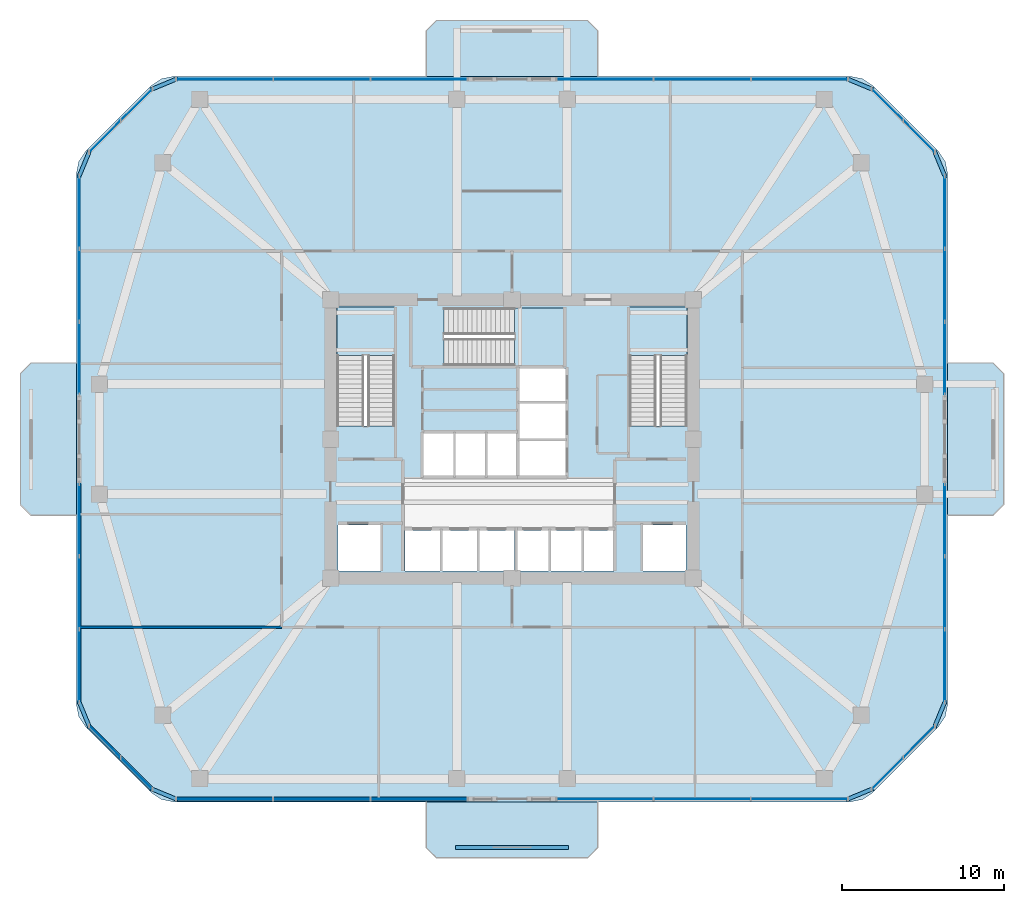
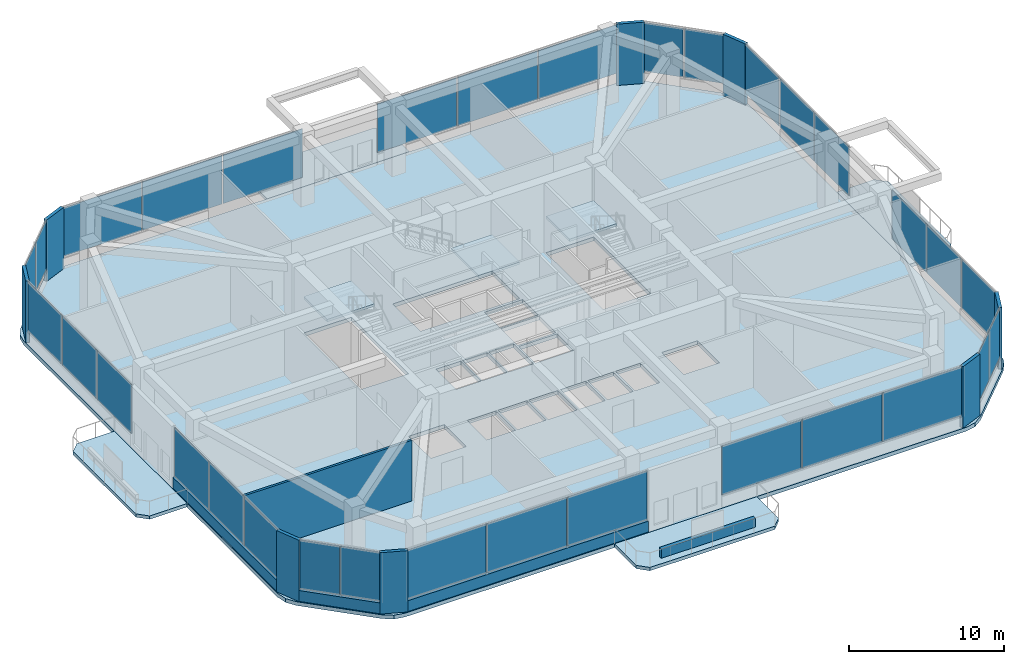
# One storey, part 6 of 13: 40 plates, 8 slabs, 5 walls, 15 elements without a shape of their own.
"""IFC4 building model written with IfcOpenShell, lengths in metres."""

from ifc_helpers import new_model, si_unit, derived_unit, direction, frame, frame_2d, origin, origin_2d, place, context, subcontext, project, spatial, polyline, rectangle, outline, extrude, material, layer, layer_set, type_object, element, aggregate, save


model = new_model("IFC4")

# Units and contexts
model_context = context("Model", 3, precision=1e-05, world=origin(), true_north=direction((0.0, 1.0)))
body_context = subcontext(model_context, "Body", "Model", "MODEL_VIEW")
ifc_project = project(units=[si_unit("LENGTHUNIT", "METRE"), si_unit("AREAUNIT", "SQUARE_METRE"), si_unit("VOLUMEUNIT", "CUBIC_METRE"), si_unit("PLANEANGLEUNIT", "RADIAN"), si_unit("MASSUNIT", "GRAM", prefix="KILO"), derived_unit("THERMALTRANSMITTANCEUNIT", [(si_unit("POWERUNIT", "WATT"), 1), (si_unit("LENGTHUNIT", "METRE"), -2), (si_unit("THERMODYNAMICTEMPERATUREUNIT", "KELVIN"), -1)])], contexts=[model_context])

# Site, building, storey
site_placement = place(None, origin())
site = spatial("IfcSite", under=ifc_project, at=site_placement, CompositionType="ELEMENT")
building_placement = place(site_placement, origin())
building = spatial("IfcBuilding", under=site, at=building_placement, Name="Koralith Skygarden Medical Center", CompositionType="ELEMENT")
storey_placement = place(building_placement, frame((0.0, 0.0, 75.419921875)))
storey = spatial("IfcBuildingStorey", under=building, at=storey_placement, Name="L19", CompositionType="ELEMENT", Elevation=75.419921875)

# Curtain wall, plates
ifc_material_1 = material(Name="Clear Laminated Glass", Category="glass")
curtain_wall_type = type_object("IfcCurtainWallType", Name="CW-7 Sky-Garden & Pool Conservatory Wall", PredefinedType="NOTDEFINED", material=ifc_material_1)
curtain_wall_1_placement = place(storey_placement, origin())
curtain_wall_1 = element("IfcCurtainWall", 1, at=curtain_wall_1_placement, inside=storey, type_object=curtain_wall_type, Name="Curtain Wall CW-L19-S-L", PredefinedType="NOTDEFINED")
ifc_layer_1 = layer(ifc_material_1, 0.0419921875)
ifc_layer_set_1 = layer_set([ifc_layer_1], Name="Clear Laminated Glass")
plate_type_1 = type_object("IfcPlateType", Name="CW-7 Hurricane Laminated IGU Panel 42", PredefinedType="CURTAIN_PANEL", material=ifc_layer_set_1)
plate_1_placement = place(storey_placement, frame((19.256103515625, 3.679931640625, 0.919921875), z_axis=(0.0, 0.0, 1.0), x_axis=(1.0, 0.0, 0.0)))
plate_1 = element("IfcPlate", 2, at=plate_1_placement, type_object=plate_type_1, Name="CW-L19-S-L Glazed Panel 1", PredefinedType="CURTAIN_PANEL", context=body_context, shape_type="SweptSolid", body=[
    extrude(rectangle(XDim=5.910888671875, YDim=0.0419921875, at=origin_2d()), origin(), (0.0, 0.0, 1.0), 3.840087890625),
])
plate_2_placement = place(storey_placement, frame((25.257080078125, 3.679931640625, 0.919921875), z_axis=(0.0, 0.0, 1.0), x_axis=(1.0, 0.0, 0.0)))
plate_2 = element("IfcPlate", 3, at=plate_2_placement, type_object=plate_type_1, Name="CW-L19-S-L Glazed Panel 2", PredefinedType="CURTAIN_PANEL", context=body_context, shape_type="SweptSolid", body=[
    extrude(rectangle(XDim=5.910888671875, YDim=0.0419921875, at=origin_2d()), origin(), (0.0, 0.0, 1.0), 3.840087890625),
])
plate_3_placement = place(storey_placement, frame((31.258056640625, 3.679931640625, 0.919921875), z_axis=(0.0, 0.0, 1.0), x_axis=(1.0, 0.0, 0.0)))
plate_3 = element("IfcPlate", 4, at=plate_3_placement, type_object=plate_type_1, Name="CW-L19-S-L Glazed Panel 3", PredefinedType="CURTAIN_PANEL", context=body_context, shape_type="SweptSolid", body=[
    extrude(rectangle(XDim=5.910888671875, YDim=0.0419921875, at=origin_2d()), origin(), (0.0, 0.0, 1.0), 3.840087890625),
])
aggregate(curtain_wall_1, [plate_1, plate_2, plate_3])

curtain_wall_2_placement = place(storey_placement, origin())
curtain_wall_2 = element("IfcCurtainWall", 5, at=curtain_wall_2_placement, inside=storey, type_object=curtain_wall_type, Name="Curtain Wall CW-L19-S-R", PredefinedType="NOTDEFINED")
plate_4_placement = place(storey_placement, frame((42.739990234375, 3.679931640625, 0.919921875), z_axis=(0.0, 0.0, 1.0), x_axis=(1.0, 0.0, 0.0)))
plate_4 = element("IfcPlate", 6, at=plate_4_placement, type_object=plate_type_1, Name="CW-L19-S-R Glazed Panel 1", PredefinedType="CURTAIN_PANEL", context=body_context, shape_type="SweptSolid", body=[
    extrude(rectangle(XDim=5.912109375, YDim=0.0419921875, at=origin_2d()), origin(), (0.0, 0.0, 1.0), 3.840087890625),
])
plate_5_placement = place(storey_placement, frame((48.741943359375, 3.679931640625, 0.919921875), z_axis=(0.0, 0.0, 1.0), x_axis=(1.0, 0.0, 0.0)))
plate_5 = element("IfcPlate", 7, at=plate_5_placement, type_object=plate_type_1, Name="CW-L19-S-R Glazed Panel 2", PredefinedType="CURTAIN_PANEL", context=body_context, shape_type="SweptSolid", body=[
    extrude(rectangle(XDim=5.912109375, YDim=0.0419921875, at=origin_2d()), origin(), (0.0, 0.0, 1.0), 3.840087890625),
])
plate_6_placement = place(storey_placement, frame((54.743896484375, 3.679931640625, 0.919921875), z_axis=(0.0, 0.0, 1.0), x_axis=(1.0, 0.0, 0.0)))
plate_6 = element("IfcPlate", 8, at=plate_6_placement, type_object=plate_type_1, Name="CW-L19-S-R Glazed Panel 3", PredefinedType="CURTAIN_PANEL", context=body_context, shape_type="SweptSolid", body=[
    extrude(rectangle(XDim=5.912109375, YDim=0.0419921875, at=origin_2d()), origin(), (0.0, 0.0, 1.0), 3.840087890625),
])
aggregate(curtain_wall_2, [plate_4, plate_5, plate_6])

curtain_wall_3_placement = place(storey_placement, origin())
curtain_wall_3 = element("IfcCurtainWall", 9, at=curtain_wall_3_placement, inside=storey, type_object=curtain_wall_type, Name="Curtain Wall CW-L19-SE", PredefinedType="NOTDEFINED")
plate_7_placement = place(storey_placement, frame((60.177001953125, 5.261962890625, 0.919921875), z_axis=(0.0, 0.0, 1.0), x_axis=(0.707106781187, 0.707106781187, 0.0)))
plate_7 = element("IfcPlate", 10, at=plate_7_placement, type_object=plate_type_1, Name="CW-L19-SE Glazed Panel 1", PredefinedType="CURTAIN_PANEL", context=body_context, shape_type="SweptSolid", body=[
    extrude(rectangle(XDim=2.68408203125, YDim=0.0419921875, at=origin_2d()), origin(), (0.0, 0.0, 1.0), 3.840087890625),
])
plate_8_placement = place(storey_placement, frame((62.137939453125, 7.222900390625, 0.919921875), z_axis=(0.0, 0.0, 1.0), x_axis=(0.707106781187, 0.707106781187, 0.0)))
plate_8 = element("IfcPlate", 11, at=plate_8_placement, type_object=plate_type_1, Name="CW-L19-SE Glazed Panel 2", PredefinedType="CURTAIN_PANEL", context=body_context, shape_type="SweptSolid", body=[
    extrude(rectangle(XDim=2.68408203125, YDim=0.0419921875, at=origin_2d()), origin(), (0.0, 0.0, 1.0), 3.840087890625),
])
aggregate(curtain_wall_3, [plate_7, plate_8])

curtain_wall_4_placement = place(storey_placement, origin())
curtain_wall_4 = element("IfcCurtainWall", 12, at=curtain_wall_4_placement, inside=storey, type_object=curtain_wall_type, Name="Curtain Wall CW-L19-E-L", PredefinedType="NOTDEFINED")
plate_9_placement = place(storey_placement, frame((63.719970703125, 11.906005859375, 0.919921875), z_axis=(0.0, 0.0, 1.0), x_axis=(0.0, 1.0, 0.0)))
plate_9 = element("IfcPlate", 13, at=plate_9_placement, type_object=plate_type_1, Name="CW-L19-E-L Glazed Panel 1", PredefinedType="CURTAIN_PANEL", context=body_context, shape_type="SweptSolid", body=[
    extrude(rectangle(XDim=4.410888671875, YDim=0.0419921875, at=origin_2d()), origin(), (0.0, 0.0, 1.0), 3.840087890625),
])
plate_10_placement = place(storey_placement, frame((63.719970703125, 16.406982421875, 0.919921875), z_axis=(0.0, 0.0, 1.0), x_axis=(0.0, 1.0, 0.0)))
plate_10 = element("IfcPlate", 14, at=plate_10_placement, type_object=plate_type_1, Name="CW-L19-E-L Glazed Panel 2", PredefinedType="CURTAIN_PANEL", context=body_context, shape_type="SweptSolid", body=[
    extrude(rectangle(XDim=4.410888671875, YDim=0.0419921875, at=origin_2d()), origin(), (0.0, 0.0, 1.0), 3.840087890625),
])
plate_11_placement = place(storey_placement, frame((63.719970703125, 20.907958984375, 0.919921875), z_axis=(0.0, 0.0, 1.0), x_axis=(0.0, 1.0, 0.0)))
plate_11 = element("IfcPlate", 15, at=plate_11_placement, type_object=plate_type_1, Name="CW-L19-E-L Glazed Panel 3", PredefinedType="CURTAIN_PANEL", context=body_context, shape_type="SweptSolid", body=[
    extrude(rectangle(XDim=4.410888671875, YDim=0.0419921875, at=origin_2d()), origin(), (0.0, 0.0, 1.0), 3.840087890625),
])
aggregate(curtain_wall_4, [plate_9, plate_10, plate_11])

curtain_wall_5_placement = place(storey_placement, origin())
curtain_wall_5 = element("IfcCurtainWall", 16, at=curtain_wall_5_placement, inside=storey, type_object=curtain_wall_type, Name="Curtain Wall CW-L19-E-R", PredefinedType="NOTDEFINED")
plate_12_placement = place(storey_placement, frame((63.719970703125, 30.889892578125, 0.919921875), z_axis=(0.0, 0.0, 1.0), x_axis=(0.0, 1.0, 0.0)))
plate_12 = element("IfcPlate", 17, at=plate_12_placement, type_object=plate_type_1, Name="CW-L19-E-R Glazed Panel 1", PredefinedType="CURTAIN_PANEL", context=body_context, shape_type="SweptSolid", body=[
    extrude(rectangle(XDim=4.412109375, YDim=0.0419921875, at=origin_2d()), origin(), (0.0, 0.0, 1.0), 3.840087890625),
])
plate_13_placement = place(storey_placement, frame((63.719970703125, 35.39208984375, 0.919921875), z_axis=(0.0, 0.0, 1.0), x_axis=(0.0, 1.0, 0.0)))
plate_13 = element("IfcPlate", 18, at=plate_13_placement, type_object=plate_type_1, Name="CW-L19-E-R Glazed Panel 2", PredefinedType="CURTAIN_PANEL", context=body_context, shape_type="SweptSolid", body=[
    extrude(rectangle(XDim=4.412109375, YDim=0.0419921875, at=origin_2d()), origin(), (0.0, 0.0, 1.0), 3.840087890625),
])
plate_14_placement = place(storey_placement, frame((63.719970703125, 39.89404296875, 0.919921875), z_axis=(0.0, 0.0, 1.0), x_axis=(0.0, 1.0, 0.0)))
plate_14 = element("IfcPlate", 19, at=plate_14_placement, type_object=plate_type_1, Name="CW-L19-E-R Glazed Panel 3", PredefinedType="CURTAIN_PANEL", context=body_context, shape_type="SweptSolid", body=[
    extrude(rectangle(XDim=4.412109375, YDim=0.0419921875, at=origin_2d()), origin(), (0.0, 0.0, 1.0), 3.840087890625),
])
aggregate(curtain_wall_5, [plate_12, plate_13, plate_14])

curtain_wall_6_placement = place(storey_placement, origin())
curtain_wall_6 = element("IfcCurtainWall", 20, at=curtain_wall_6_placement, inside=storey, type_object=curtain_wall_type, Name="Curtain Wall CW-L19-NE", PredefinedType="NOTDEFINED")
plate_15_placement = place(storey_placement, frame((62.137939453125, 44.576904296875, 0.919921875), z_axis=(0.0, 0.0, 1.0), x_axis=(-0.707106781187, 0.707106781187, 0.0)))
plate_15 = element("IfcPlate", 21, at=plate_15_placement, type_object=plate_type_1, Name="CW-L19-NE Glazed Panel 1", PredefinedType="CURTAIN_PANEL", context=body_context, shape_type="SweptSolid", body=[
    extrude(rectangle(XDim=2.68408203125, YDim=0.0419921875, at=origin_2d()), origin(), (0.0, 0.0, 1.0), 3.840087890625),
])
plate_16_placement = place(storey_placement, frame((60.177001953125, 46.5380859375, 0.919921875), z_axis=(0.0, 0.0, 1.0), x_axis=(-0.707106781187, 0.707106781187, 0.0)))
plate_16 = element("IfcPlate", 22, at=plate_16_placement, type_object=plate_type_1, Name="CW-L19-NE Glazed Panel 2", PredefinedType="CURTAIN_PANEL", context=body_context, shape_type="SweptSolid", body=[
    extrude(rectangle(XDim=2.68408203125, YDim=0.0419921875, at=origin_2d()), origin(), (0.0, 0.0, 1.0), 3.840087890625),
])
aggregate(curtain_wall_6, [plate_15, plate_16])

curtain_wall_7_placement = place(storey_placement, origin())
curtain_wall_7 = element("IfcCurtainWall", 23, at=curtain_wall_7_placement, inside=storey, type_object=curtain_wall_type, Name="Curtain Wall CW-L19-N-L", PredefinedType="NOTDEFINED")
plate_17_placement = place(storey_placement, frame((54.743896484375, 48.1201171875, 0.919921875), z_axis=(0.0, 0.0, 1.0), x_axis=(-1.0, 0.0, 0.0)))
plate_17 = element("IfcPlate", 24, at=plate_17_placement, type_object=plate_type_1, Name="CW-L19-N-L Glazed Panel 1", PredefinedType="CURTAIN_PANEL", context=body_context, shape_type="SweptSolid", body=[
    extrude(rectangle(XDim=5.910888671875, YDim=0.0419921875, at=origin_2d()), origin(), (0.0, 0.0, 1.0), 3.840087890625),
])
plate_18_placement = place(storey_placement, frame((48.742919921875, 48.1201171875, 0.919921875), z_axis=(0.0, 0.0, 1.0), x_axis=(-1.0, 0.0, 0.0)))
plate_18 = element("IfcPlate", 25, at=plate_18_placement, type_object=plate_type_1, Name="CW-L19-N-L Glazed Panel 2", PredefinedType="CURTAIN_PANEL", context=body_context, shape_type="SweptSolid", body=[
    extrude(rectangle(XDim=5.910888671875, YDim=0.0419921875, at=origin_2d()), origin(), (0.0, 0.0, 1.0), 3.840087890625),
])
plate_19_placement = place(storey_placement, frame((42.741943359375, 48.1201171875, 0.919921875), z_axis=(0.0, 0.0, 1.0), x_axis=(-1.0, 0.0, 0.0)))
plate_19 = element("IfcPlate", 26, at=plate_19_placement, type_object=plate_type_1, Name="CW-L19-N-L Glazed Panel 3", PredefinedType="CURTAIN_PANEL", context=body_context, shape_type="SweptSolid", body=[
    extrude(rectangle(XDim=5.910888671875, YDim=0.0419921875, at=origin_2d()), origin(), (0.0, 0.0, 1.0), 3.840087890625),
])
aggregate(curtain_wall_7, [plate_17, plate_18, plate_19])

curtain_wall_8_placement = place(storey_placement, origin())
curtain_wall_8 = element("IfcCurtainWall", 27, at=curtain_wall_8_placement, inside=storey, type_object=curtain_wall_type, Name="Curtain Wall CW-L19-N-R", PredefinedType="NOTDEFINED")
plate_20_placement = place(storey_placement, frame((31.260009765625, 48.1201171875, 0.919921875), z_axis=(0.0, 0.0, 1.0), x_axis=(-1.0, 0.0, 0.0)))
plate_20 = element("IfcPlate", 28, at=plate_20_placement, type_object=plate_type_1, Name="CW-L19-N-R Glazed Panel 1", PredefinedType="CURTAIN_PANEL", context=body_context, shape_type="SweptSolid", body=[
    extrude(rectangle(XDim=5.912109375, YDim=0.0419921875, at=origin_2d()), origin(), (0.0, 0.0, 1.0), 3.840087890625),
])
plate_21_placement = place(storey_placement, frame((25.258056640625, 48.1201171875, 0.919921875), z_axis=(0.0, 0.0, 1.0), x_axis=(-1.0, 0.0, 0.0)))
plate_21 = element("IfcPlate", 29, at=plate_21_placement, type_object=plate_type_1, Name="CW-L19-N-R Glazed Panel 2", PredefinedType="CURTAIN_PANEL", context=body_context, shape_type="SweptSolid", body=[
    extrude(rectangle(XDim=5.912109375, YDim=0.0419921875, at=origin_2d()), origin(), (0.0, 0.0, 1.0), 3.840087890625),
])
plate_22_placement = place(storey_placement, frame((19.256103515625, 48.1201171875, 0.919921875), z_axis=(0.0, 0.0, 1.0), x_axis=(-1.0, 0.0, 0.0)))
plate_22 = element("IfcPlate", 30, at=plate_22_placement, type_object=plate_type_1, Name="CW-L19-N-R Glazed Panel 3", PredefinedType="CURTAIN_PANEL", context=body_context, shape_type="SweptSolid", body=[
    extrude(rectangle(XDim=5.912109375, YDim=0.0419921875, at=origin_2d()), origin(), (0.0, 0.0, 1.0), 3.840087890625),
])
aggregate(curtain_wall_8, [plate_20, plate_21, plate_22])

curtain_wall_9_placement = place(storey_placement, origin())
curtain_wall_9 = element("IfcCurtainWall", 31, at=curtain_wall_9_placement, inside=storey, type_object=curtain_wall_type, Name="Curtain Wall CW-L19-NW", PredefinedType="NOTDEFINED")
plate_23_placement = place(storey_placement, frame((13.822998046875, 46.5380859375, 0.919921875), z_axis=(0.0, 0.0, 1.0), x_axis=(-0.707106781187, -0.707106781187, 0.0)))
plate_23 = element("IfcPlate", 32, at=plate_23_placement, type_object=plate_type_1, Name="CW-L19-NW Glazed Panel 1", PredefinedType="CURTAIN_PANEL", context=body_context, shape_type="SweptSolid", body=[
    extrude(rectangle(XDim=2.68408203125, YDim=0.0419921875, at=origin_2d()), origin(), (0.0, 0.0, 1.0), 3.840087890625),
])
plate_24_placement = place(storey_placement, frame((11.862060546875, 44.576904296875, 0.919921875), z_axis=(0.0, 0.0, 1.0), x_axis=(-0.707106781187, -0.707106781187, 0.0)))
plate_24 = element("IfcPlate", 33, at=plate_24_placement, type_object=plate_type_1, Name="CW-L19-NW Glazed Panel 2", PredefinedType="CURTAIN_PANEL", context=body_context, shape_type="SweptSolid", body=[
    extrude(rectangle(XDim=2.68408203125, YDim=0.0419921875, at=origin_2d()), origin(), (0.0, 0.0, 1.0), 3.840087890625),
])
aggregate(curtain_wall_9, [plate_23, plate_24])

curtain_wall_10_placement = place(storey_placement, origin())
curtain_wall_10 = element("IfcCurtainWall", 34, at=curtain_wall_10_placement, inside=storey, type_object=curtain_wall_type, Name="Curtain Wall CW-L19-W-L", PredefinedType="NOTDEFINED")
plate_25_placement = place(storey_placement, frame((10.280029296875, 39.89404296875, 0.919921875), z_axis=(0.0, 0.0, 1.0), x_axis=(0.0, -1.0, 0.0)))
plate_25 = element("IfcPlate", 35, at=plate_25_placement, type_object=plate_type_1, Name="CW-L19-W-L Glazed Panel 1", PredefinedType="CURTAIN_PANEL", context=body_context, shape_type="SweptSolid", body=[
    extrude(rectangle(XDim=4.410888671875, YDim=0.0419921875, at=origin_2d()), origin(), (0.0, 0.0, 1.0), 3.840087890625),
])
plate_26_placement = place(storey_placement, frame((10.280029296875, 35.39306640625, 0.919921875), z_axis=(0.0, 0.0, 1.0), x_axis=(0.0, -1.0, 0.0)))
plate_26 = element("IfcPlate", 36, at=plate_26_placement, type_object=plate_type_1, Name="CW-L19-W-L Glazed Panel 2", PredefinedType="CURTAIN_PANEL", context=body_context, shape_type="SweptSolid", body=[
    extrude(rectangle(XDim=4.410888671875, YDim=0.0419921875, at=origin_2d()), origin(), (0.0, 0.0, 1.0), 3.840087890625),
])
plate_27_placement = place(storey_placement, frame((10.280029296875, 30.89208984375, 0.919921875), z_axis=(0.0, 0.0, 1.0), x_axis=(0.0, -1.0, 0.0)))
plate_27 = element("IfcPlate", 37, at=plate_27_placement, type_object=plate_type_1, Name="CW-L19-W-L Glazed Panel 3", PredefinedType="CURTAIN_PANEL", context=body_context, shape_type="SweptSolid", body=[
    extrude(rectangle(XDim=4.410888671875, YDim=0.0419921875, at=origin_2d()), origin(), (0.0, 0.0, 1.0), 3.840087890625),
])
aggregate(curtain_wall_10, [plate_25, plate_26, plate_27])

curtain_wall_11_placement = place(storey_placement, origin())
curtain_wall_11 = element("IfcCurtainWall", 38, at=curtain_wall_11_placement, inside=storey, type_object=curtain_wall_type, Name="Curtain Wall CW-L19-W-R", PredefinedType="NOTDEFINED")
plate_28_placement = place(storey_placement, frame((10.280029296875, 20.909912109375, 0.919921875), z_axis=(0.0, 0.0, 1.0), x_axis=(0.0, -1.0, 0.0)))
plate_28 = element("IfcPlate", 39, at=plate_28_placement, type_object=plate_type_1, Name="CW-L19-W-R Glazed Panel 1", PredefinedType="CURTAIN_PANEL", context=body_context, shape_type="SweptSolid", body=[
    extrude(rectangle(XDim=4.412109375, YDim=0.0419921875, at=origin_2d()), origin(), (0.0, 0.0, 1.0), 3.840087890625),
])
plate_29_placement = place(storey_placement, frame((10.280029296875, 16.407958984375, 0.919921875), z_axis=(0.0, 0.0, 1.0), x_axis=(0.0, -1.0, 0.0)))
plate_29 = element("IfcPlate", 40, at=plate_29_placement, type_object=plate_type_1, Name="CW-L19-W-R Glazed Panel 2", PredefinedType="CURTAIN_PANEL", context=body_context, shape_type="SweptSolid", body=[
    extrude(rectangle(XDim=4.412109375, YDim=0.0419921875, at=origin_2d()), origin(), (0.0, 0.0, 1.0), 3.840087890625),
])
plate_30_placement = place(storey_placement, frame((10.280029296875, 11.906005859375, 0.919921875), z_axis=(0.0, 0.0, 1.0), x_axis=(0.0, -1.0, 0.0)))
plate_30 = element("IfcPlate", 41, at=plate_30_placement, type_object=plate_type_1, Name="CW-L19-W-R Glazed Panel 3", PredefinedType="CURTAIN_PANEL", context=body_context, shape_type="SweptSolid", body=[
    extrude(rectangle(XDim=4.412109375, YDim=0.0419921875, at=origin_2d()), origin(), (0.0, 0.0, 1.0), 3.840087890625),
])
aggregate(curtain_wall_11, [plate_28, plate_29, plate_30])

curtain_wall_12_placement = place(storey_placement, origin())
curtain_wall_12 = element("IfcCurtainWall", 42, at=curtain_wall_12_placement, inside=storey, type_object=curtain_wall_type, Name="Curtain Wall CW-L19-SW", PredefinedType="NOTDEFINED")
plate_31_placement = place(storey_placement, frame((11.862060546875, 7.222900390625, 0.919921875), z_axis=(0.0, 0.0, 1.0), x_axis=(0.707106781187, -0.707106781187, 0.0)))
plate_31 = element("IfcPlate", 43, at=plate_31_placement, type_object=plate_type_1, Name="CW-L19-SW Glazed Panel 1", PredefinedType="CURTAIN_PANEL", context=body_context, shape_type="SweptSolid", body=[
    extrude(rectangle(XDim=2.68408203125, YDim=0.0419921875, at=origin_2d()), origin(), (0.0, 0.0, 1.0), 3.840087890625),
])
plate_32_placement = place(storey_placement, frame((13.822998046875, 5.261962890625, 0.919921875), z_axis=(0.0, 0.0, 1.0), x_axis=(0.707106781187, -0.707106781187, 0.0)))
plate_32 = element("IfcPlate", 44, at=plate_32_placement, type_object=plate_type_1, Name="CW-L19-SW Glazed Panel 2", PredefinedType="CURTAIN_PANEL", context=body_context, shape_type="SweptSolid", body=[
    extrude(rectangle(XDim=2.68408203125, YDim=0.0419921875, at=origin_2d()), origin(), (0.0, 0.0, 1.0), 3.840087890625),
])
aggregate(curtain_wall_12, [plate_31, plate_32])

# Slabs
ifc_material_2 = material(Name="Concrete C45/55", Category="concrete")
ifc_layer_2 = layer(ifc_material_2, 0.260009765625)
ifc_layer_set_2 = layer_set([ifc_layer_2], Name="Concrete C45/55")
slab_type_1 = type_object("IfcSlabType", Name="Cantilevered Planted Balcony Slab 260", PredefinedType="FLOOR", material=ifc_layer_set_2)
slab_1_placement = place(storey_placement, frame((0.0, 0.0, -0.260009765625)))
element("IfcSlab", 45, at=slab_1_placement, inside=storey, type_object=slab_type_1, Name="L19 N Planted Sky-Garden Balcony Slab", PredefinedType="FLOOR", context=body_context, shape_type="SweptSolid", body=[
    extrude(outline(polyline([(31.699951171875, 48.300048828125), (42.300048828125, 48.300048828125), (42.300048828125, 51.10009765625), (41.64990234375, 51.75), (32.35009765625, 51.75), (31.699951171875, 51.10009765625), (31.699951171875, 48.300048828125)])), origin(), (0.0, 0.0, 1.0), 0.260009765625),
])
slab_2_placement = place(storey_placement, frame((0.0, 0.0, -0.260009765625)))
element("IfcSlab", 46, at=slab_2_placement, inside=storey, type_object=slab_type_1, Name="L19 S Planted Sky-Garden Balcony Slab", PredefinedType="FLOOR", context=body_context, shape_type="SweptSolid", body=[
    extrude(outline(polyline([(32.35009765625, 0.050048828125), (41.64990234375, 0.050048828125), (42.300048828125, 0.699951171875), (42.300048828125, 3.5), (31.699951171875, 3.5), (31.699951171875, 0.699951171875), (32.35009765625, 0.050048828125)])), origin(), (0.0, 0.0, 1.0), 0.260009765625),
])
slab_3_placement = place(storey_placement, frame((0.0, 0.0, -0.260009765625)))
element("IfcSlab", 47, at=slab_3_placement, inside=storey, type_object=slab_type_1, Name="L19 E Planted Sky-Garden Balcony Slab", PredefinedType="FLOOR", context=body_context, shape_type="SweptSolid", body=[
    extrude(outline(polyline([(63.89990234375, 21.199951171875), (66.699951171875, 21.199951171875), (67.35009765625, 21.85009765625), (67.35009765625, 29.949951171875), (66.699951171875, 30.60009765625), (63.89990234375, 30.60009765625), (63.89990234375, 21.199951171875)])), origin(), (0.0, 0.0, 1.0), 0.260009765625),
])
slab_4_placement = place(storey_placement, frame((0.0, 0.0, -0.260009765625)))
element("IfcSlab", 48, at=slab_4_placement, inside=storey, type_object=slab_type_1, Name="L19 W Planted Sky-Garden Balcony Slab", PredefinedType="FLOOR", context=body_context, shape_type="SweptSolid", body=[
    extrude(outline(polyline([(7.300048828125, 21.199951171875), (10.10009765625, 21.199951171875), (10.10009765625, 30.60009765625), (7.300048828125, 30.60009765625), (6.64990234375, 29.949951171875), (6.64990234375, 21.85009765625), (7.300048828125, 21.199951171875)])), origin(), (0.0, 0.0, 1.0), 0.260009765625),
])

# Stair, slab
stair_type = type_object("IfcStairType", Name="Core Exit Dogleg Concrete Stair", PredefinedType="HALF_TURN_STAIR", material=ifc_material_2)
stair_1_placement = place(storey_placement, origin())
stair_1 = element("IfcStair", 49, at=stair_1_placement, inside=storey, type_object=stair_type, Name="L19 Smokeproof Exit Stair ST1", PredefinedType="HALF_TURN_STAIR")
ifc_layer_3 = layer(ifc_material_2, 0.199951171875)
ifc_layer_set_3 = layer_set([ifc_layer_3], Name="Concrete C45/55")
slab_type_2 = type_object("IfcSlabType", Name="Core Exit Concrete Stair Landing 200", PredefinedType="LANDING", material=ifc_layer_set_3)
slab_5_placement = place(storey_placement, frame((0.0, 0.0, 2.68017578125)))
slab_5 = element("IfcSlab", 50, at=slab_5_placement, type_object=slab_type_2, Name="ST1 landing 1", PredefinedType="LANDING", context=body_context, shape_type="SweptSolid", body=[
    extrude(outline(polyline([(29.75, 31.050048828125), (29.75, 34.050048828125), (26.199951171875, 34.050048828125), (26.199951171875, 31.050048828125), (29.75, 31.050048828125)])), origin(), (0.0, 0.0, 1.0), 0.199951171875),
])
aggregate(stair_1, [slab_5])

stair_2_placement = place(storey_placement, origin())
stair_2 = element("IfcStair", 51, at=stair_2_placement, inside=storey, type_object=stair_type, Name="L19 Smokeproof Exit Stair ST2", PredefinedType="HALF_TURN_STAIR")
slab_6_placement = place(storey_placement, frame((0.0, 0.0, 2.68017578125)))
slab_6 = element("IfcSlab", 52, at=slab_6_placement, type_object=slab_type_2, Name="ST2 landing 1", PredefinedType="LANDING", context=body_context, shape_type="SweptSolid", body=[
    extrude(outline(polyline([(47.800048828125, 31.050048828125), (47.800048828125, 34.050048828125), (44.25, 34.050048828125), (44.25, 31.050048828125), (47.800048828125, 31.050048828125)])), origin(), (0.0, 0.0, 1.0), 0.199951171875),
])
aggregate(stair_2, [slab_6])

stair_3_placement = place(storey_placement, origin())
stair_3 = element("IfcStair", 53, at=stair_3_placement, inside=storey, type_object=stair_type, Name="L19 Smokeproof Exit Stair ST3", PredefinedType="HALF_TURN_STAIR")
slab_7_placement = place(storey_placement, frame((0.0, 0.0, 2.68017578125)))
slab_7 = element("IfcSlab", 54, at=slab_7_placement, type_object=slab_type_2, Name="ST3 landing 1", PredefinedType="LANDING", context=body_context, shape_type="SweptSolid", body=[
    extrude(outline(polyline([(37.14990234375, 30.449951171875), (40.199951171875, 30.449951171875), (40.199951171875, 34.0), (37.14990234375, 34.0), (37.14990234375, 30.449951171875)])), origin(), (0.0, 0.0, 1.0), 0.199951171875),
])
aggregate(stair_3, [slab_7])

# Slab
ifc_layer_4 = layer(ifc_material_2, 0.300048828125)
ifc_layer_set_4 = layer_set([ifc_layer_4], Name="Concrete C45/55")
slab_type_3 = type_object("IfcSlabType", Name="Podium & Diagnostic Stiffened Slab 300", PredefinedType="FLOOR", material=ifc_layer_set_4)
slab_8_placement = place(storey_placement, frame((0.0, 0.0, -0.2998046875)))
element("IfcSlab", 55, at=slab_8_placement, inside=storey, type_object=slab_type_3, Name="Level L19 Structural Floor Slab", PredefinedType="FLOOR", context=body_context, shape_type="SweptSolid", body=[
    extrude(outline(polyline([(14.714111328125, 4.0859375), (15.363037109375, 3.652099609375), (16.1279296875, 3.5), (57.8720703125, 3.5), (58.636962890625, 3.652099609375), (59.285888671875, 4.0859375), (63.31396484375, 8.114013671875), (63.748046875, 8.762939453125), (63.89990234375, 9.528076171875), (63.89990234375, 42.27197265625), (63.748046875, 43.037109375), (63.31396484375, 43.68603515625), (59.285888671875, 47.714111328125), (58.636962890625, 48.14794921875), (57.8720703125, 48.300048828125), (16.1279296875, 48.300048828125), (15.363037109375, 48.14794921875), (14.714111328125, 47.714111328125), (10.68603515625, 43.68603515625), (10.251953125, 43.037109375), (10.10009765625, 42.27197265625), (10.10009765625, 9.528076171875), (10.251953125, 8.762939453125), (10.68603515625, 8.114013671875), (14.714111328125, 4.0859375)]), holes=[polyline([(26.199951171875, 26.705078125), (29.75, 26.705078125), (29.75, 34.050048828125), (26.199951171875, 34.050048828125), (26.199951171875, 26.705078125)]), polyline([(44.25, 26.705078125), (47.800048828125, 26.705078125), (47.800048828125, 34.050048828125), (44.25, 34.050048828125), (44.25, 26.705078125)]), polyline([(32.804931640625, 30.449951171875), (40.199951171875, 30.449951171875), (40.199951171875, 34.0), (32.804931640625, 34.0), (32.804931640625, 30.449951171875)]), polyline([(26.25, 17.75), (28.89990234375, 17.75), (28.89990234375, 20.60009765625), (26.25, 20.60009765625), (26.25, 17.75)]), polyline([(45.10009765625, 17.75), (47.75, 17.75), (47.75, 20.60009765625), (45.10009765625, 20.60009765625), (45.10009765625, 17.75)]), polyline([(30.39990234375, 17.75), (32.550048828125, 17.75), (32.550048828125, 20.25), (30.39990234375, 20.25), (30.39990234375, 17.75)]), polyline([(32.699951171875, 17.75), (34.85009765625, 17.75), (34.85009765625, 20.25), (32.699951171875, 20.25), (32.699951171875, 17.75)]), polyline([(35.0, 17.75), (37.14990234375, 17.75), (37.14990234375, 20.25), (35.0, 20.25), (35.0, 17.75)]), polyline([(37.35009765625, 17.75), (39.25, 17.75), (39.25, 20.25), (37.35009765625, 20.25), (37.35009765625, 17.75)]), polyline([(39.39990234375, 17.75), (41.300048828125, 17.75), (41.300048828125, 20.25), (39.39990234375, 20.25), (39.39990234375, 17.75)]), polyline([(41.449951171875, 17.75), (43.300048828125, 17.75), (43.300048828125, 20.25), (41.449951171875, 20.25), (41.449951171875, 17.75)]), polyline([(31.550048828125, 23.64990234375), (33.39990234375, 23.64990234375), (33.39990234375, 26.25), (31.550048828125, 26.25), (31.550048828125, 23.64990234375)]), polyline([(33.5, 23.64990234375), (35.35009765625, 23.64990234375), (35.35009765625, 26.25), (33.5, 26.25), (33.5, 23.64990234375)]), polyline([(35.449951171875, 23.64990234375), (37.300048828125, 23.64990234375), (37.300048828125, 26.25), (35.449951171875, 26.25), (35.449951171875, 23.64990234375)]), polyline([(37.449951171875, 23.64990234375), (40.300048828125, 23.64990234375), (40.300048828125, 25.800048828125), (37.449951171875, 25.800048828125), (37.449951171875, 23.64990234375)]), polyline([(37.449951171875, 25.949951171875), (40.300048828125, 25.949951171875), (40.300048828125, 28.10009765625), (37.449951171875, 28.10009765625), (37.449951171875, 25.949951171875)]), polyline([(37.449951171875, 28.25), (40.300048828125, 28.25), (40.300048828125, 30.25), (37.449951171875, 30.25), (37.449951171875, 28.25)])]), origin(), (0.0, 0.0, 1.0), 0.2998046875),
])

# Plates
ifc_material_3 = material(Name="Warm Oolitic Limestone Cladding", Category="masonry")
ifc_layer_5 = layer(ifc_material_3, 0.239990234375)
ifc_layer_set_5 = layer_set([ifc_layer_5], Name="Warm Oolitic Limestone Cladding")
plate_type_2 = type_object("IfcPlateType", Name="Rounded-Corner Oolitic Limestone Cladding Panel 240", PredefinedType="USERDEFINED", material=ifc_layer_set_5)
for number, where, z_axis, x_axis, name in (
    (56, (58.470947265625, 3.98095703125, 0.0), (0.0, 0.0, 1.0), (0.92388487569, 0.382670532536, 0.0), "L19 Rounded-Corner Limestone Pier 1"),
    (57, (63.4189453125, 8.929931640625, 0.0), (0.0, 0.0, 1.0), (0.382670532536, 0.92388487569, 0.0), "L19 Rounded-Corner Limestone Pier 2"),
    (58, (63.4189453125, 42.8701171875, 0.0), (0.0, 0.0, 1.0), (-0.382670532536, 0.92388487569, 0.0), "L19 Rounded-Corner Limestone Pier 3"),
    (59, (58.470947265625, 47.819091796875, 0.0), (0.0, 0.0, 1.0), (-0.92388487569, 0.382670532536, 0.0), "L19 Rounded-Corner Limestone Pier 4"),
    (60, (15.529052734375, 47.819091796875, 0.0), (0.0, 0.0, 1.0), (-0.92388487569, -0.382670532536, 0.0), "L19 Rounded-Corner Limestone Pier 5"),
    (61, (10.5810546875, 42.8701171875, 0.0), (0.0, 0.0, 1.0), (-0.382670532536, -0.92388487569, 0.0), "L19 Rounded-Corner Limestone Pier 6"),
    (62, (10.5810546875, 8.929931640625, 0.0), (0.0, 0.0, 1.0), (0.382670532536, -0.92388487569, 0.0), "L19 Rounded-Corner Limestone Pier 7"),
    (63, (15.529052734375, 3.98095703125, 0.0), (0.0, 0.0, 1.0), (0.92388487569, -0.382670532536, 0.0), "L19 Rounded-Corner Limestone Pier 8"),
):
    element("IfcPlate", number, at=place(storey_placement, frame(where, z_axis=z_axis, x_axis=x_axis)), inside=storey, type_object=plate_type_2, Name=name, ObjectType="LIMESTONE CLADDING", PredefinedType="USERDEFINED", context=body_context, shape_type="SweptSolid", body=[
        extrude(rectangle(XDim=1.81103515625, YDim=0.239990234375, at=origin_2d()), origin(), (0.0, 0.0, 1.0), 4.830078125),
    ])

# Walls
ifc_material_4 = material(Name="Gypsum Board Partition")
ifc_layer_6 = layer(ifc_material_4, 0.1650390625)
ifc_layer_set_6 = layer_set([ifc_layer_6], Name="Gypsum Board Partition")
wall_type_1 = type_object("IfcWallType", Name="Clinical Corridor Partition 165", PredefinedType="PARTITIONING", material=ifc_layer_set_6)
wall_1_placement = place(storey_placement, frame((10.300048828125, 14.2900390625, 0.0), z_axis=(0.0, 0.0, 1.0), x_axis=(1.0, 0.0, 0.0)))
element("IfcWall", 64, at=wall_1_placement, inside=storey, type_object=wall_type_1, Name="L19 Clinical Corridor Partition 165 W-WB-L19-SW", PredefinedType="PARTITIONING", context=body_context, shape_type="SweptSolid", body=[
    extrude(rectangle(XDim=12.489990234375, YDim=0.1650390625, at=frame_2d((6.2451171875, 0.0))), origin(), (0.0, 0.0, 1.0), 4.77001953125),
])
ifc_layer_7 = layer(ifc_material_3, 0.239990234375)
ifc_layer_set_7 = layer_set([ifc_layer_7], Name="Warm Oolitic Limestone Cladding")
wall_type_2 = type_object("IfcWallType", Name="Limestone Spandrel Sill Backup Wall 240", PredefinedType="SOLIDWALL", material=ifc_layer_set_7)
wall_2_placement = place(storey_placement, frame((16.2548828125, 3.679931640625, 0.0), z_axis=(0.0, 0.0, 1.0), x_axis=(1.0, 0.0, 0.0)))
element("IfcWall", 65, at=wall_2_placement, inside=storey, type_object=wall_type_2, Name="L19 Sill Spandrel S-L", PredefinedType="SOLIDWALL", context=body_context, shape_type="SweptSolid", body=[
    extrude(rectangle(XDim=18.004150390625, YDim=0.239990234375, at=frame_2d((9.001953125, 0.0))), origin(), (0.0, 0.0, 1.0), 0.85009765625),
])
wall_3_placement = place(storey_placement, frame((10.280029296875, 23.160888671875, 0.0), z_axis=(0.0, 0.0, 1.0), x_axis=(0.0, -1.0, 0.0)))
element("IfcWall", 66, at=wall_3_placement, inside=storey, type_object=wall_type_2, Name="L19 Sill Spandrel W-R", PredefinedType="SOLIDWALL", context=body_context, shape_type="SweptSolid", body=[
    extrude(rectangle(XDim=13.505859375, YDim=0.239990234375, at=frame_2d((6.7529296875, 0.0))), origin(), (0.0, 0.0, 1.0), 0.85009765625),
])
wall_4_placement = place(storey_placement, frame((10.881103515625, 8.2041015625, 0.0), z_axis=(0.0, 0.0, 1.0), x_axis=(0.707084777957, -0.707128783731, 0.0)))
element("IfcWall", 67, at=wall_4_placement, inside=storey, type_object=wall_type_2, Name="L19 Sill Spandrel SW", PredefinedType="SOLIDWALL", context=body_context, shape_type="SweptSolid", body=[
    extrude(rectangle(XDim=5.5478515625, YDim=0.239990234375, at=frame_2d((2.77392578125, 0.0))), origin(), (0.0, 0.0, 1.0), 0.85009765625),
])
ifc_material_5 = material(Name="Precast concrete C40/50", Category="concrete")
ifc_layer_8 = layer(ifc_material_5, 0.25)
ifc_layer_set_8 = layer_set([ifc_layer_8], Name="Precast concrete C40/50")
wall_type_3 = type_object("IfcWallType", Name="Structural Concrete Balcony Planter Kerb 250", PredefinedType="PARAPET", material=ifc_layer_set_8)
wall_5_placement = place(storey_placement, frame((33.5, 0.699951171875, 0.0), z_axis=(0.0, 0.0, 1.0), x_axis=(1.0, 0.0, 0.0)))
element("IfcWall", 68, at=wall_5_placement, inside=storey, type_object=wall_type_3, Name="L19 S Structural Tree PLANTER Box", PredefinedType="PARAPET", context=body_context, shape_type="SweptSolid", body=[
    extrude(rectangle(XDim=7.0, YDim=0.25, at=frame_2d((3.5, 0.0))), origin(), (0.0, 0.0, 1.0), 0.719970703125),
])

save(model, "model.ifc")
